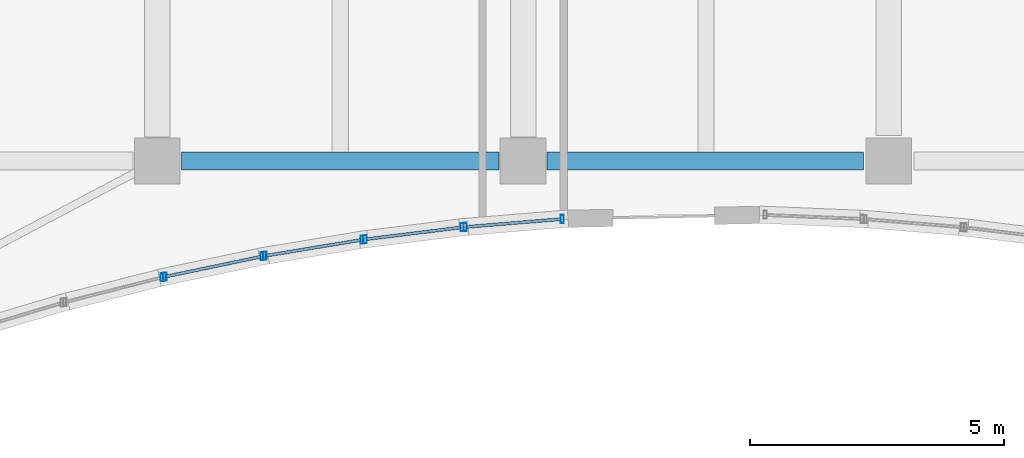
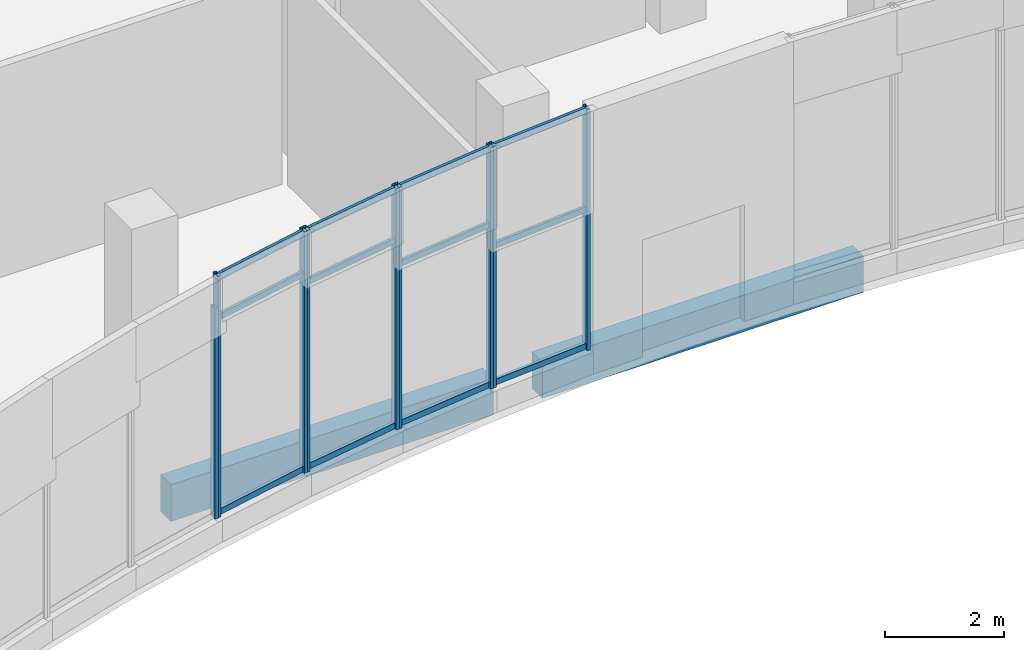
# One storey, part 81 of 192: 21 members, 2 beams, 5 elements without a shape of their own.
"""IFC4 building model written with IfcOpenShell, lengths in metres."""

import ifcopenshell
import ifcopenshell.guid

model = None  # the IFC model being written
_history = None  # IfcOwnerHistory: only IFC2X3 demands one
_inside = {}  # id of a spatial element -> (the spatial element, [elements in it])
_under = {}  # id of a project, library or spatial element -> (it, [spatial elements below it])
_declared = {}  # id of a project -> (the project, [libraries it declares])
_typed = {}  # id of a type object -> (the type object, [elements of that type])
_made_of = {}  # id of a material, layer set ... -> (it, [elements and type objects made of it])


def new_model(schema):
    """Start an empty IFC model of exactly this schema.

    Asked for "IFC4X3", IfcOpenShell would pick the latest addendum, in which some entities
    have other attributes; the version numbers below select the first issue.
    IFC2X3 requires an IfcOwnerHistory on every rooted entity: one is made here for all.
    """
    global model, _history
    if schema == "IFC4X3":
        model = ifcopenshell.file(schema_version=(4, 3, 0, 0))
    else:
        model = ifcopenshell.file(schema=schema)
    _inside.clear()
    _under.clear()
    _declared.clear()
    _typed.clear()
    _made_of.clear()
    _history = None
    if model.schema == "IFC2X3":
        org = make("IfcOrganization", Name="unknown")
        user = make(
            "IfcPersonAndOrganization",
            ThePerson=make("IfcPerson", FamilyName="unknown"),
            TheOrganization=org,
        )
        app = make(
            "IfcApplication",
            ApplicationDeveloper=org,
            Version="unknown",
            ApplicationFullName="unknown",
            ApplicationIdentifier="unknown",
        )
        _history = make(
            "IfcOwnerHistory",
            OwningUser=user,
            OwningApplication=app,
            ChangeAction="ADDED",
            CreationDate=0,
        )
    return model


def make(cls, **values):
    """One entity of the class cls with the attributes given. An attribute that is None is left unset."""
    return model.create_entity(
        cls, **{name: value for name, value in values.items() if value is not None}
    )


def rooted(cls, **values):
    """An entity with a GlobalId (a new one), such as an element, a storey or a relation."""
    return make(cls, GlobalId=ifcopenshell.guid.new(), OwnerHistory=_history, **values)


def si_unit(unit_type, name, prefix=None):
    """IfcSIUnit, for example si_unit("LENGTHUNIT", "METRE", prefix="MILLI")."""
    return make("IfcSIUnit", UnitType=unit_type, Prefix=prefix, Name=name)


def assignment(units):
    """IfcUnitAssignment: the units of a project."""
    return None if units is None else make("IfcUnitAssignment", Units=units)


def point(xyz):
    """IfcCartesianPoint."""
    return None if xyz is None else make("IfcCartesianPoint", Coordinates=xyz)


def direction(xyz):
    """IfcDirection."""
    return None if xyz is None else make("IfcDirection", DirectionRatios=xyz)


def frame(location, z_axis=None, x_axis=None):
    """IfcAxis2Placement3D, a coordinate frame: its origin and axes. An axis left out is left unset."""
    return make(
        "IfcAxis2Placement3D",
        Location=point(location),
        Axis=direction(z_axis),
        RefDirection=direction(x_axis),
    )


def frame_2d(location, x_axis=None):
    """IfcAxis2Placement2D, a coordinate frame in the plane: its origin and x axis."""
    return make(
        "IfcAxis2Placement2D", Location=point(location), RefDirection=direction(x_axis)
    )


def origin():
    """The frame at (0, 0, 0) with its axes left unset."""
    return frame((0.0, 0.0, 0.0))


def origin_2d():
    """The frame at (0, 0) in the plane with its x axis left unset."""
    return frame_2d((0.0, 0.0))


def place(relative_to, where):
    """IfcLocalPlacement: puts the frame where relative to a parent placement (None: the world)."""
    return make(
        "IfcLocalPlacement", PlacementRelTo=relative_to, RelativePlacement=where
    )


def context(
    kind, dimensions, precision=None, world=None, true_north=None, identifier=None
):
    """IfcGeometricRepresentationContext, for example the 3D "Model" context."""
    return make(
        "IfcGeometricRepresentationContext",
        ContextIdentifier=identifier,
        ContextType=kind,
        CoordinateSpaceDimension=dimensions,
        Precision=precision,
        WorldCoordinateSystem=world,
        TrueNorth=true_north,
    )


def subcontext(parent, identifier, kind, view, scale=None):
    """IfcGeometricRepresentationSubContext, for example "Body" below "Model"."""
    return make(
        "IfcGeometricRepresentationSubContext",
        ContextIdentifier=identifier,
        ContextType=kind,
        ParentContext=parent,
        TargetScale=scale,
        TargetView=view,
    )


def project(units=None, contexts=None):
    """IfcProject with its units and contexts."""
    return rooted(
        "IfcProject",
        Name="project",
        RepresentationContexts=contexts,
        UnitsInContext=assignment(units),
    )


def spatial(cls, under=None, at=None, **own):
    """A site, building, storey or space (cls), placed at a placement, below another one or the project."""
    s = rooted(cls, ObjectPlacement=at, **own)
    if under is not None:
        _under.setdefault(under.id(), (under, []))[1].append(s)
    return s


def profile(cls, at=None, kind="AREA", **sizes):
    """A parametric profile (cls). Its sizes go by their IFC names, for example OverallWidth=200.0."""
    return make(cls, ProfileType=kind, Position=at, **sizes)


def rectangle(**sizes):
    """IfcRectangleProfileDef."""
    return profile("IfcRectangleProfileDef", **sizes)


def hollow_rectangle(**sizes):
    """IfcRectangleHollowProfileDef."""
    return profile("IfcRectangleHollowProfileDef", **sizes)


def extrude(swept, where, along, depth):
    """IfcExtrudedAreaSolid: the profile swept, set in the frame where, extruded along a direction by depth."""
    return make(
        "IfcExtrudedAreaSolid",
        SweptArea=swept,
        Position=where,
        ExtrudedDirection=direction(along),
        Depth=depth,
    )


def shape(context_of_items, identifier, shape_type, items):
    """IfcShapeRepresentation: the items that make up one representation, for example the "Body"."""
    return make(
        "IfcShapeRepresentation",
        ContextOfItems=context_of_items,
        RepresentationIdentifier=identifier,
        RepresentationType=shape_type,
        Items=items,
    )


def material(Name=None, Category=None):
    """IfcMaterial."""
    return make("IfcMaterial", Name=Name, Category=Category)


def material_profile(
    of_material, cross_section, Name=None, Category=None, Priority=None
):
    """IfcMaterialProfile: a cross section and its material."""
    return make(
        "IfcMaterialProfile",
        Name=Name,
        Material=of_material,
        Profile=cross_section,
        Priority=Priority,
        Category=Category,
    )


def profile_set(profiles, Name=None, composite=None):
    """IfcMaterialProfileSet."""
    return make(
        "IfcMaterialProfileSet",
        Name=Name,
        MaterialProfiles=profiles,
        CompositeProfile=composite,
    )


def made_of(thing, what):
    """Note that an element or type object is made of a material, layer set ...; save() writes the relation."""
    if what is not None:
        _made_of.setdefault(what.id(), (what, []))[1].append(thing)
    return thing


def type_object(cls, material=None, **own):
    """A type object (cls), such as IfcWallType, which elements share."""
    return made_of(rooted(cls, **own), material)


def element(
    cls,
    number,
    at=None,
    inside=None,
    cuts=None,
    type_object=None,
    material=None,
    context=None,
    identifier="Body",
    shape_type=None,
    held_by="IfcProductDefinitionShape",
    body=None,
    shapes=None,
    **own,
):
    """One element of the class cls, such as IfcWall. Its Tag is "e" and its number.

    at: its placement. inside: the storey or other place that contains it. cuts: it is an
    opening in that element (IfcRelVoidsElement). A single representation is given by context,
    identifier, shape_type and body (its items); several are given by shapes. held_by: the class
    of the entity that holds the representations. save() writes the other relations.
    """
    e = rooted(cls, Tag="e%d" % number, ObjectPlacement=at, **own)
    if body is not None:
        shapes = [shape(context, identifier, shape_type, body)]
    if shapes is not None:
        e.Representation = make(held_by, Representations=shapes)
    if inside is not None:
        _inside.setdefault(inside.id(), (inside, []))[1].append(e)
    if cuts is not None:
        rooted(
            "IfcRelVoidsElement", RelatingBuildingElement=cuts, RelatedOpeningElement=e
        )
    if type_object is not None:
        _typed.setdefault(type_object.id(), (type_object, []))[1].append(e)
    return made_of(e, material)


def aggregate(whole, parts):
    """IfcRelAggregates: a whole, such as a stair, and the parts it consists of."""
    return rooted("IfcRelAggregates", RelatingObject=whole, RelatedObjects=parts)


def save(model, path):
    """Write the relations noted so far, then the file.

    IfcRelAggregates (storeys below a building ...), IfcRelContainedInSpatialStructure (elements
    in a storey), IfcRelDefinesByType, IfcRelAssociatesMaterial and IfcRelDeclares: one each for
    every whole, place, type object, material and project.
    """
    for whole, parts in _under.values():
        aggregate(whole, parts)
    for where, things in _inside.values():
        rooted(
            "IfcRelContainedInSpatialStructure",
            RelatedElements=things,
            RelatingStructure=where,
        )
    for kind, things in _typed.values():
        rooted("IfcRelDefinesByType", RelatedObjects=things, RelatingType=kind)
    for what, things in _made_of.values():
        rooted("IfcRelAssociatesMaterial", RelatedObjects=things, RelatingMaterial=what)
    for by, libraries in _declared.values():
        rooted("IfcRelDeclares", RelatingContext=by, RelatedDefinitions=libraries)
    model.write(path)


model = new_model("IFC4")

# Units and contexts
model_context = context("Model", 3, precision=1e-05, world=origin(), true_north=direction((0.0, 1.0)))
body_context = subcontext(model_context, "Body", "Model", "MODEL_VIEW")
ifc_project = project(units=[si_unit("LENGTHUNIT", "METRE"), si_unit("AREAUNIT", "SQUARE_METRE"), si_unit("VOLUMEUNIT", "CUBIC_METRE"), si_unit("PLANEANGLEUNIT", "RADIAN"), si_unit("MASSUNIT", "GRAM", prefix="KILO")], contexts=[model_context])

# Site, building, storey
site_placement = place(None, origin())
site = spatial("IfcSite", under=ifc_project, at=site_placement, CompositionType="ELEMENT")
building_placement = place(site_placement, origin())
building = spatial("IfcBuilding", under=site, at=building_placement, Name="Cendralis Lancet Convention Centre", CompositionType="ELEMENT")
storey_placement = place(building_placement, origin())
storey = spatial("IfcBuildingStorey", under=building, at=storey_placement, Name="L00", CompositionType="ELEMENT", Elevation=0.0)

# Curtain wall, member
ifc_material_1 = material(Name="Anodised bronze architectural aluminium", Category="aluminium")
curtain_wall_type = type_object("IfcCurtainWallType", Name="ARC-CW-WF02", PredefinedType="USERDEFINED", material=ifc_material_1)
curtain_wall_1_placement = place(storey_placement, origin())
curtain_wall_1 = element("IfcCurtainWall", 1, at=curtain_wall_1_placement, inside=storey, type_object=curtain_wall_type, Name="L00 Curtain Wall CW-WF2 #075", ObjectType="CURTAIN WALL", PredefinedType="USERDEFINED")
ifc_material_profile_1 = material_profile(ifc_material_1, hollow_rectangle(XDim=0.06005859375, YDim=0.159912109375, WallThickness=0.00390625, at=origin_2d()), Name="AL-MULL 60x160x4.0")
ifc_profile_set_1 = profile_set([ifc_material_profile_1], Name="Anodised bronze architectural aluminium")
member_type_1 = type_object("IfcMemberType", Name="ARC-CW-ML01", PredefinedType="MULLION", material=ifc_profile_set_1)
member_1_placement = place(storey_placement, frame((175.2939453125, 4.90869140625, 0.449951171875), z_axis=(0.0, 0.0, 1.0), x_axis=(1.0, 0.0, 0.0)))
member_1 = element("IfcMember", 2, at=member_1_placement, type_object=member_type_1, Name="Mullion CW2-CW-WF2-L00-075-M1", PredefinedType="MULLION", context=body_context, shape_type="SweptSolid", body=[
    extrude(hollow_rectangle(XDim=0.06005859375, YDim=0.159912109375, WallThickness=0.00390625, at=origin_2d()), origin(), (0.0, 0.0, 1.0), 4.304931640625),
])
aggregate(curtain_wall_1, [member_1])

# Curtain wall, members
curtain_wall_2_placement = place(storey_placement, origin())
curtain_wall_2 = element("IfcCurtainWall", 3, at=curtain_wall_2_placement, inside=storey, type_object=curtain_wall_type, Name="L00 Curtain Wall CW-WF2 #076", ObjectType="CURTAIN WALL", PredefinedType="USERDEFINED")
member_2_placement = place(storey_placement, frame((175.352294921875, 4.922119140625, 0.449951171875), z_axis=(0.0, 0.0, 1.0), x_axis=(1.0, 0.0, 0.0)))
member_2 = element("IfcMember", 4, at=member_2_placement, type_object=member_type_1, Name="Mullion CW2-CW-WF2-L00-076-M0", PredefinedType="MULLION", context=body_context, shape_type="SweptSolid", body=[
    extrude(hollow_rectangle(XDim=0.06005859375, YDim=0.159912109375, WallThickness=0.00390625, at=origin_2d()), origin(), (0.0, 0.0, 1.0), 4.949951171875),
])
member_3_placement = place(storey_placement, frame((177.2626953125, 5.322021484375, 0.449951171875), z_axis=(0.0, 0.0, 1.0), x_axis=(1.0, 0.0, 0.0)))
member_3 = element("IfcMember", 5, at=member_3_placement, type_object=member_type_1, Name="Mullion CW2-CW-WF2-L00-076-M1", PredefinedType="MULLION", context=body_context, shape_type="SweptSolid", body=[
    extrude(hollow_rectangle(XDim=0.06005859375, YDim=0.159912109375, WallThickness=0.00390625, at=origin_2d()), origin(), (0.0, 0.0, 1.0), 4.949951171875),
])

curtain_wall_3_placement = place(storey_placement, origin())
curtain_wall_3 = element("IfcCurtainWall", 6, at=curtain_wall_3_placement, inside=storey, type_object=curtain_wall_type, Name="L00 Curtain Wall CW-WF2 #077", ObjectType="CURTAIN WALL", PredefinedType="USERDEFINED")
member_4_placement = place(storey_placement, frame((177.321533203125, 5.3330078125, 0.449951171875), z_axis=(0.0, 0.0, 1.0), x_axis=(1.0, 0.0, 0.0)))
member_4 = element("IfcMember", 7, at=member_4_placement, type_object=member_type_1, Name="Mullion CW2-CW-WF2-L00-077-M0", PredefinedType="MULLION", context=body_context, shape_type="SweptSolid", body=[
    extrude(hollow_rectangle(XDim=0.06005859375, YDim=0.159912109375, WallThickness=0.00390625, at=origin_2d()), origin(), (0.0, 0.0, 1.0), 4.949951171875),
])
member_5_placement = place(storey_placement, frame((179.232421875, 5.650146484375, 0.449951171875), z_axis=(0.0, 0.0, 1.0), x_axis=(1.0, 0.0, 0.0)))
member_5 = element("IfcMember", 8, at=member_5_placement, type_object=member_type_1, Name="Mullion CW2-CW-WF2-L00-077-M1", PredefinedType="MULLION", context=body_context, shape_type="SweptSolid", body=[
    extrude(hollow_rectangle(XDim=0.06005859375, YDim=0.159912109375, WallThickness=0.00390625, at=origin_2d()), origin(), (0.0, 0.0, 1.0), 4.949951171875),
])

curtain_wall_4_placement = place(storey_placement, origin())
curtain_wall_4 = element("IfcCurtainWall", 9, at=curtain_wall_4_placement, inside=storey, type_object=curtain_wall_type, Name="L00 Curtain Wall CW-WF2 #078", ObjectType="CURTAIN WALL", PredefinedType="USERDEFINED")
member_6_placement = place(storey_placement, frame((179.291748046875, 5.65869140625, 0.449951171875), z_axis=(0.0, 0.0, 1.0), x_axis=(1.0, 0.0, 0.0)))
member_6 = element("IfcMember", 10, at=member_6_placement, type_object=member_type_1, Name="Mullion CW2-CW-WF2-L00-078-M0", PredefinedType="MULLION", context=body_context, shape_type="SweptSolid", body=[
    extrude(hollow_rectangle(XDim=0.06005859375, YDim=0.159912109375, WallThickness=0.00390625, at=origin_2d()), origin(), (0.0, 0.0, 1.0), 4.949951171875),
])
member_7_placement = place(storey_placement, frame((181.201171875, 5.894287109375, 0.449951171875), z_axis=(0.0, 0.0, 1.0), x_axis=(1.0, 0.0, 0.0)))
member_7 = element("IfcMember", 11, at=member_7_placement, type_object=member_type_1, Name="Mullion CW2-CW-WF2-L00-078-M1", PredefinedType="MULLION", context=body_context, shape_type="SweptSolid", body=[
    extrude(hollow_rectangle(XDim=0.06005859375, YDim=0.159912109375, WallThickness=0.00390625, at=origin_2d()), origin(), (0.0, 0.0, 1.0), 4.949951171875),
])

curtain_wall_5_placement = place(storey_placement, origin())
curtain_wall_5 = element("IfcCurtainWall", 12, at=curtain_wall_5_placement, inside=storey, type_object=curtain_wall_type, Name="L00 Curtain Wall CW-WF2 #079", ObjectType="CURTAIN WALL", PredefinedType="USERDEFINED")
member_8_placement = place(storey_placement, frame((181.260986328125, 5.900390625, 0.449951171875), z_axis=(0.0, 0.0, 1.0), x_axis=(1.0, 0.0, 0.0)))
member_8 = element("IfcMember", 13, at=member_8_placement, type_object=member_type_1, Name="Mullion CW2-CW-WF2-L00-079-M0", PredefinedType="MULLION", context=body_context, shape_type="SweptSolid", body=[
    extrude(hollow_rectangle(XDim=0.06005859375, YDim=0.159912109375, WallThickness=0.00390625, at=origin_2d()), origin(), (0.0, 0.0, 1.0), 4.949951171875),
])
member_9_placement = place(storey_placement, frame((183.170166015625, 6.0576171875, 0.449951171875), z_axis=(0.0, 0.0, 1.0), x_axis=(1.0, 0.0, 0.0)))
member_9 = element("IfcMember", 14, at=member_9_placement, type_object=member_type_1, Name="Mullion CW2-CW-WF2-L00-079-M1", PredefinedType="MULLION", context=body_context, shape_type="SweptSolid", body=[
    extrude(hollow_rectangle(XDim=0.06005859375, YDim=0.159912109375, WallThickness=0.00390625, at=origin_2d()), origin(), (0.0, 0.0, 1.0), 4.949951171875),
])

# Member
ifc_material_profile_2 = material_profile(ifc_material_1, hollow_rectangle(XDim=0.06005859375, YDim=0.1201171875, WallThickness=0.00390625, at=origin_2d()), Name="AL-TRAN 60x120x4.0")
ifc_profile_set_2 = profile_set([ifc_material_profile_2], Name="Anodised bronze architectural aluminium")
member_type_2 = type_object("IfcMemberType", Name="ARC-CW-TR01", PredefinedType="USERDEFINED", material=ifc_profile_set_2)
member_10_placement = place(storey_placement, frame((175.381591796875, 4.92822265625, 0.510009765625), z_axis=(0.978805065144, 0.204794151402, 0.0), x_axis=(-0.204794151402, 0.978805065144, 0.0)))
member_10 = element("IfcMember", 15, at=member_10_placement, type_object=member_type_2, Name="Transom CW2-CW-WF2-L00-076-T0BOT", ObjectType="TRANSOM", PredefinedType="USERDEFINED", context=body_context, shape_type="SweptSolid", body=[
    extrude(hollow_rectangle(XDim=0.06005859375, YDim=0.1201171875, WallThickness=0.00390625, at=origin_2d()), origin(), (0.0, 0.0, 1.0), 1.891845703125),
])

member_11_placement = place(storey_placement, frame((175.381591796875, 4.92822265625, 4.50390625), z_axis=(0.978805065144, 0.204794151402, 0.0), x_axis=(-0.204794151402, 0.978805065144, 0.0)))
member_11 = element("IfcMember", 16, at=member_11_placement, type_object=member_type_2, Name="Transom CW2-CW-WF2-L00-076-T0MID", ObjectType="TRANSOM", PredefinedType="USERDEFINED", context=body_context, shape_type="SweptSolid", body=[
    extrude(hollow_rectangle(XDim=0.06005859375, YDim=0.1201171875, WallThickness=0.00390625, at=origin_2d()), origin(), (0.0, 0.0, 1.0), 1.891845703125),
])

member_12_placement = place(storey_placement, frame((175.381591796875, 4.92822265625, 5.340087890625), z_axis=(0.978805065144, 0.204794151402, 0.0), x_axis=(-0.204794151402, 0.978805065144, 0.0)))
member_12 = element("IfcMember", 17, at=member_12_placement, type_object=member_type_2, Name="Transom CW2-CW-WF2-L00-076-T0TOP", ObjectType="TRANSOM", PredefinedType="USERDEFINED", context=body_context, shape_type="SweptSolid", body=[
    extrude(hollow_rectangle(XDim=0.06005859375, YDim=0.1201171875, WallThickness=0.00390625, at=origin_2d()), origin(), (0.0, 0.0, 1.0), 1.891845703125),
])

aggregate(curtain_wall_2, [member_2, member_3, member_10, member_11, member_12])

member_13_placement = place(storey_placement, frame((177.351318359375, 5.337890625, 0.510009765625), z_axis=(0.986499188177, 0.163766149514, 0.0), x_axis=(-0.163766149514, 0.986499188177, 0.0)))
member_13 = element("IfcMember", 18, at=member_13_placement, type_object=member_type_2, Name="Transom CW2-CW-WF2-L00-077-T0BOT", ObjectType="TRANSOM", PredefinedType="USERDEFINED", context=body_context, shape_type="SweptSolid", body=[
    extrude(hollow_rectangle(XDim=0.06005859375, YDim=0.1201171875, WallThickness=0.00390625, at=origin_2d()), origin(), (0.0, 0.0, 1.0), 1.876953125),
])

member_14_placement = place(storey_placement, frame((177.351318359375, 5.337890625, 4.297119140625), z_axis=(0.986499188177, 0.163766149514, 0.0), x_axis=(-0.163766149514, 0.986499188177, 0.0)))
member_14 = element("IfcMember", 19, at=member_14_placement, type_object=member_type_2, Name="Transom CW2-CW-WF2-L00-077-T0MID", ObjectType="TRANSOM", PredefinedType="USERDEFINED", context=body_context, shape_type="SweptSolid", body=[
    extrude(hollow_rectangle(XDim=0.06005859375, YDim=0.1201171875, WallThickness=0.00390625, at=origin_2d()), origin(), (0.0, 0.0, 1.0), 1.876953125),
])

member_15_placement = place(storey_placement, frame((177.351318359375, 5.337890625, 5.340087890625), z_axis=(0.986499188177, 0.163766149514, 0.0), x_axis=(-0.163766149514, 0.986499188177, 0.0)))
member_15 = element("IfcMember", 20, at=member_15_placement, type_object=member_type_2, Name="Transom CW2-CW-WF2-L00-077-T0TOP", ObjectType="TRANSOM", PredefinedType="USERDEFINED", context=body_context, shape_type="SweptSolid", body=[
    extrude(hollow_rectangle(XDim=0.06005859375, YDim=0.1201171875, WallThickness=0.00390625, at=origin_2d()), origin(), (0.0, 0.0, 1.0), 1.876953125),
])

aggregate(curtain_wall_3, [member_4, member_5, member_13, member_14, member_15])

member_16_placement = place(storey_placement, frame((179.321533203125, 5.662353515625, 0.510009765625), z_axis=(0.99247211421, 0.122470823121, 0.0), x_axis=(-0.122470823121, 0.99247211421, 0.0)))
member_16 = element("IfcMember", 21, at=member_16_placement, type_object=member_type_2, Name="Transom CW2-CW-WF2-L00-078-T0BOT", ObjectType="TRANSOM", PredefinedType="USERDEFINED", context=body_context, shape_type="SweptSolid", body=[
    extrude(hollow_rectangle(XDim=0.06005859375, YDim=0.1201171875, WallThickness=0.00390625, at=origin_2d()), origin(), (0.0, 0.0, 1.0), 1.86376953125),
])

member_17_placement = place(storey_placement, frame((179.321533203125, 5.662353515625, 3.780029296875), z_axis=(0.99247211421, 0.122470823121, 0.0), x_axis=(-0.122470823121, 0.99247211421, 0.0)))
member_17 = element("IfcMember", 22, at=member_17_placement, type_object=member_type_2, Name="Transom CW2-CW-WF2-L00-078-T0MID", ObjectType="TRANSOM", PredefinedType="USERDEFINED", context=body_context, shape_type="SweptSolid", body=[
    extrude(hollow_rectangle(XDim=0.06005859375, YDim=0.1201171875, WallThickness=0.00390625, at=origin_2d()), origin(), (0.0, 0.0, 1.0), 1.86376953125),
])

member_18_placement = place(storey_placement, frame((179.321533203125, 5.662353515625, 5.340087890625), z_axis=(0.99247211421, 0.122470823121, 0.0), x_axis=(-0.122470823121, 0.99247211421, 0.0)))
member_18 = element("IfcMember", 23, at=member_18_placement, type_object=member_type_2, Name="Transom CW2-CW-WF2-L00-078-T0TOP", ObjectType="TRANSOM", PredefinedType="USERDEFINED", context=body_context, shape_type="SweptSolid", body=[
    extrude(hollow_rectangle(XDim=0.06005859375, YDim=0.1201171875, WallThickness=0.00390625, at=origin_2d()), origin(), (0.0, 0.0, 1.0), 1.86376953125),
])

aggregate(curtain_wall_4, [member_6, member_7, member_16, member_17, member_18])

member_19_placement = place(storey_placement, frame((181.290771484375, 5.90283203125, 0.510009765625), z_axis=(0.996624248548, 0.08209815592, 0.0), x_axis=(-0.08209815592, 0.996624248548, 0.0)))
member_19 = element("IfcMember", 24, at=member_19_placement, type_object=member_type_2, Name="Transom CW2-CW-WF2-L00-079-T0BOT", ObjectType="TRANSOM", PredefinedType="USERDEFINED", context=body_context, shape_type="SweptSolid", body=[
    extrude(hollow_rectangle(XDim=0.06005859375, YDim=0.1201171875, WallThickness=0.00390625, at=origin_2d()), origin(), (0.0, 0.0, 1.0), 1.855712890625),
])

member_20_placement = place(storey_placement, frame((181.290771484375, 5.90283203125, 3.31201171875), z_axis=(0.996624248548, 0.08209815592, 0.0), x_axis=(-0.08209815592, 0.996624248548, 0.0)))
member_20 = element("IfcMember", 25, at=member_20_placement, type_object=member_type_2, Name="Transom CW2-CW-WF2-L00-079-T0MID", ObjectType="TRANSOM", PredefinedType="USERDEFINED", context=body_context, shape_type="SweptSolid", body=[
    extrude(hollow_rectangle(XDim=0.06005859375, YDim=0.1201171875, WallThickness=0.00390625, at=origin_2d()), origin(), (0.0, 0.0, 1.0), 1.855712890625),
])

member_21_placement = place(storey_placement, frame((181.290771484375, 5.90283203125, 5.340087890625), z_axis=(0.996624248548, 0.08209815592, 0.0), x_axis=(-0.08209815592, 0.996624248548, 0.0)))
member_21 = element("IfcMember", 26, at=member_21_placement, type_object=member_type_2, Name="Transom CW2-CW-WF2-L00-079-T0TOP", ObjectType="TRANSOM", PredefinedType="USERDEFINED", context=body_context, shape_type="SweptSolid", body=[
    extrude(hollow_rectangle(XDim=0.06005859375, YDim=0.1201171875, WallThickness=0.00390625, at=origin_2d()), origin(), (0.0, 0.0, 1.0), 1.855712890625),
])

aggregate(curtain_wall_5, [member_8, member_9, member_19, member_20, member_21])

# Beams
ifc_material_2 = material(Name="Concrete G40 (C40/50)", Category="concrete")
ifc_material_profile_3 = material_profile(ifc_material_2, rectangle(XDim=0.35009765625, YDim=0.75, at=origin_2d()), Name="RCB 350x750")
ifc_profile_set_3 = profile_set([ifc_material_profile_3], Name="Concrete G40 (C40/50)")
beam_type = type_object("IfcBeamType", Name="STR-SP-SP01", PredefinedType="SPANDREL", material=ifc_profile_set_3)
beam_1_placement = place(storey_placement, frame((175.675048828125, 7.199951171875, -0.695068359375), z_axis=(1.0, 0.0, 0.0), x_axis=(0.0, 1.0, 0.0)))
element("IfcBeam", 27, at=beam_1_placement, inside=storey, type_object=beam_type, Name="L00 Beam SP01 #0007", PredefinedType="SPANDREL", context=body_context, shape_type="SweptSolid", body=[
    extrude(rectangle(XDim=0.35009765625, YDim=0.75, at=origin_2d()), origin(), (0.0, 0.0, 1.0), 6.25),
])
beam_2_placement = place(storey_placement, frame((182.875, 7.199951171875, -0.695068359375), z_axis=(1.0, 0.0, 0.0), x_axis=(0.0, 1.0, 0.0)))
element("IfcBeam", 28, at=beam_2_placement, inside=storey, type_object=beam_type, Name="L00 Beam SP01 #0008", PredefinedType="SPANDREL", context=body_context, shape_type="SweptSolid", body=[
    extrude(rectangle(XDim=0.35009765625, YDim=0.75, at=origin_2d()), origin(), (0.0, 0.0, 1.0), 6.22509765625),
])

save(model, "model.ifc")
